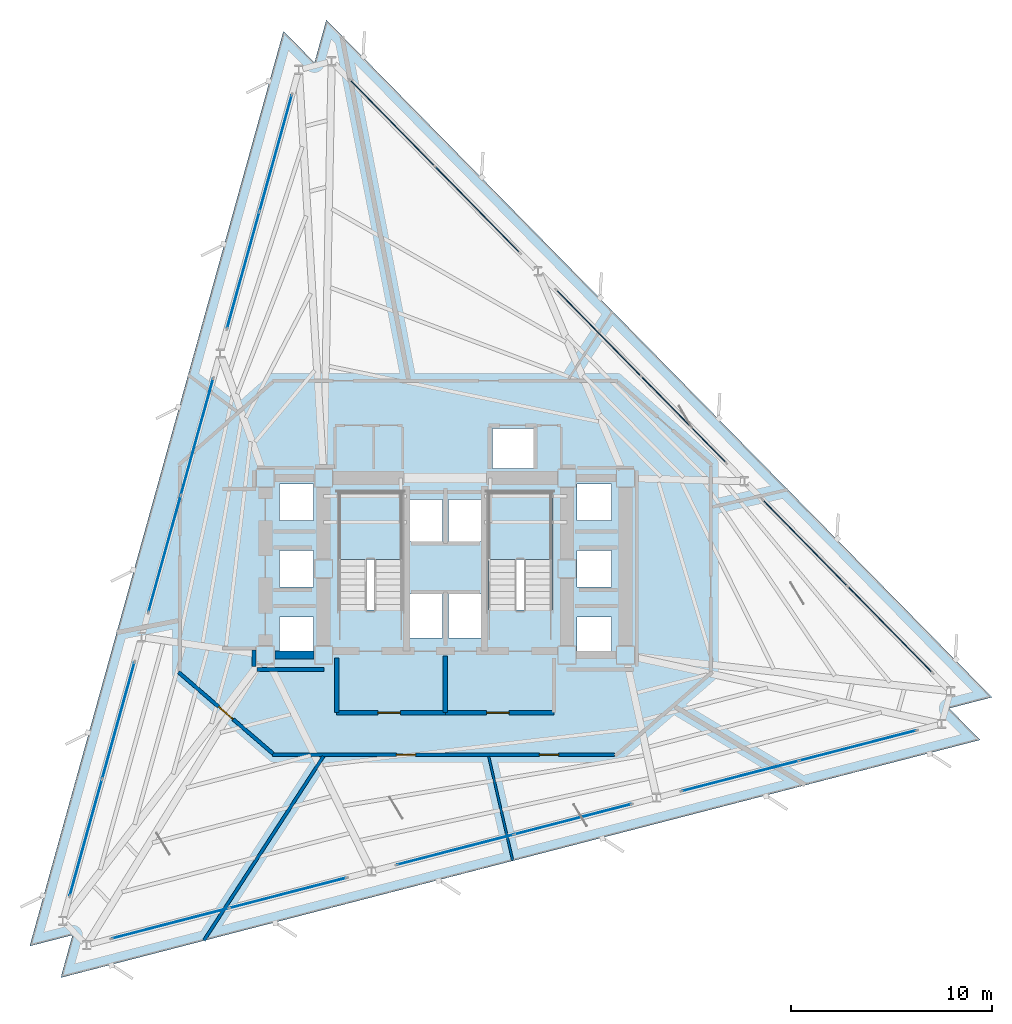
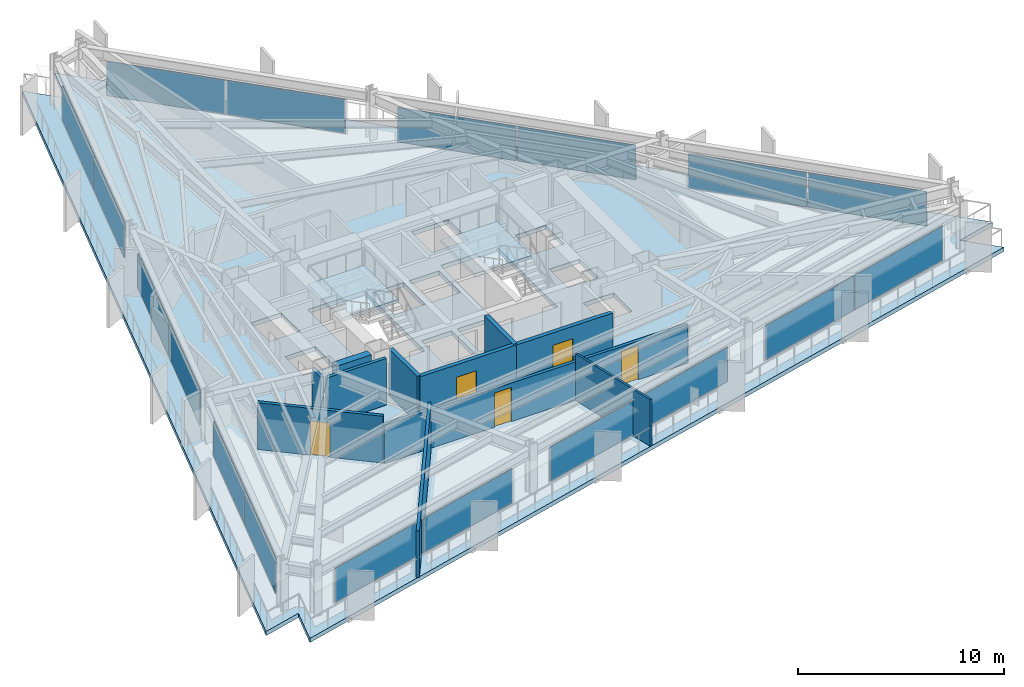
# One storey, part 6 of 11: 18 plates, 11 walls, 5 doors, 3 slabs, 5 openings, 11 elements without a shape of their own.
"""IFC4 building model written with IfcOpenShell, lengths in metres."""

from ifc_helpers import new_model, si_unit, direction, frame, frame_2d, origin, origin_2d, place, context, subcontext, project, spatial, polyline, rectangle, outline, extrude, material, layer, layer_set, type_object, element, fill, aggregate, save


model = new_model("IFC4")

# Units and contexts
model_context = context("Model", 3, precision=1e-05, world=origin(), true_north=direction((0.0, 1.0)))
body_context = subcontext(model_context, "Body", "Model", "MODEL_VIEW")
ifc_project = project(units=[si_unit("LENGTHUNIT", "METRE"), si_unit("AREAUNIT", "SQUARE_METRE"), si_unit("VOLUMEUNIT", "CUBIC_METRE"), si_unit("PLANEANGLEUNIT", "RADIAN"), si_unit("MASSUNIT", "GRAM", prefix="KILO")], contexts=[model_context])

# Site, building, storey
site_placement = place(None, origin())
site = spatial("IfcSite", under=ifc_project, at=site_placement, CompositionType="ELEMENT")
building_placement = place(site_placement, origin())
building = spatial("IfcBuilding", under=site, at=building_placement, Name="Rocaltana Carrier Exchange", CompositionType="ELEMENT")
storey_placement = place(building_placement, frame((0.0, 0.0, 79.52001953125)))
storey = spatial("IfcBuildingStorey", under=building, at=storey_placement, Name="L24", CompositionType="ELEMENT", Elevation=79.52001953125)

# Curtain wall, plates
ifc_material_1 = material(Name="Aluminium 6063-T6", Category="aluminium")
ifc_layer_1 = layer(ifc_material_1, 0.1650390625)
ifc_layer_set_1 = layer_set([ifc_layer_1], Name="Aluminium 6063-T6")
curtain_wall_type = type_object("IfcCurtainWallType", Name="Lower-Mid Stepped Curtain Wall CW-02", PredefinedType="NOTDEFINED", material=ifc_layer_set_1)
curtain_wall_1_placement = place(storey_placement, origin())
curtain_wall_1 = element("IfcCurtainWall", 1, at=curtain_wall_1_placement, inside=storey, type_object=curtain_wall_type, Name="L24 CW-02 Run CW-L24-F1S1", PredefinedType="NOTDEFINED")
ifc_material_2 = material(Name="Tempered Laminated Glass", Category="glass")
ifc_layer_2 = layer(ifc_material_2, 0.0419921875)
ifc_layer_set_2 = layer_set([ifc_layer_2], Name="Tempered Laminated Glass")
plate_type = type_object("IfcPlateType", Name="CW-02 Stone-Insulated Vision Panel", PredefinedType="CURTAIN_PANEL", material=ifc_layer_set_2)
plate_1_placement = place(storey_placement, frame((22.10400390625, -3.02490234375, 0.06494140625), z_axis=(0.0, 0.0, 1.0), x_axis=(-0.700915045542, 0.713244767898, 0.0)))
plate_1 = element("IfcPlate", 2, at=plate_1_placement, type_object=plate_type, Name="CW-02 panel 1.1", PredefinedType="CURTAIN_PANEL", context=body_context, shape_type="SweptSolid", body=[
    extrude(rectangle(XDim=5.96923828125, YDim=0.0419921875, at=origin_2d()), origin(), (0.0, 0.0, 1.0), 2.0380859375),
])
plate_2_placement = place(storey_placement, frame((17.874755859375, 1.279052734375, 0.06494140625), z_axis=(0.0, 0.0, 1.0), x_axis=(-0.700915045542, 0.713244767898, 0.0)))
plate_2 = element("IfcPlate", 3, at=plate_2_placement, type_object=plate_type, Name="CW-02 panel 2.1", PredefinedType="CURTAIN_PANEL", context=body_context, shape_type="SweptSolid", body=[
    extrude(rectangle(XDim=5.96923828125, YDim=0.0419921875, at=origin_2d()), origin(), (0.0, 0.0, 1.0), 2.0380859375),
])
aggregate(curtain_wall_1, [plate_1, plate_2])

curtain_wall_2_placement = place(storey_placement, origin())
curtain_wall_2 = element("IfcCurtainWall", 4, at=curtain_wall_2_placement, inside=storey, type_object=curtain_wall_type, Name="L24 CW-02 Run CW-L24-F1S2", PredefinedType="NOTDEFINED")
plate_3_placement = place(storey_placement, frame((11.847412109375, 7.412353515625, 0.06494140625), z_axis=(0.0, 0.0, 1.0), x_axis=(-0.700915118017, 0.713244696676, 0.0)))
plate_3 = element("IfcPlate", 5, at=plate_3_placement, type_object=plate_type, Name="CW-02 panel 1.1", PredefinedType="CURTAIN_PANEL", context=body_context, shape_type="SweptSolid", body=[
    extrude(rectangle(XDim=5.96923828125, YDim=0.0419921875, at=origin_2d()), origin(), (0.0, 0.0, 1.0), 2.0380859375),
])
plate_4_placement = place(storey_placement, frame((7.617919921875, 11.71630859375, 0.06494140625), z_axis=(0.0, 0.0, 1.0), x_axis=(-0.700915118017, 0.713244696676, 0.0)))
plate_4 = element("IfcPlate", 6, at=plate_4_placement, type_object=plate_type, Name="CW-02 panel 2.1", PredefinedType="CURTAIN_PANEL", context=body_context, shape_type="SweptSolid", body=[
    extrude(rectangle(XDim=5.96923828125, YDim=0.0419921875, at=origin_2d()), origin(), (0.0, 0.0, 1.0), 2.0380859375),
])
aggregate(curtain_wall_2, [plate_3, plate_4])

curtain_wall_3_placement = place(storey_placement, origin())
curtain_wall_3 = element("IfcCurtainWall", 7, at=curtain_wall_3_placement, inside=storey, type_object=curtain_wall_type, Name="L24 CW-02 Run CW-L24-F1S3", PredefinedType="NOTDEFINED")
plate_5_placement = place(storey_placement, frame((1.5908203125, 17.849609375, 0.06494140625), z_axis=(0.0, 0.0, 1.0), x_axis=(-0.700915045542, 0.713244767898, 0.0)))
plate_5 = element("IfcPlate", 8, at=plate_5_placement, type_object=plate_type, Name="CW-02 panel 1.1", PredefinedType="CURTAIN_PANEL", context=body_context, shape_type="SweptSolid", body=[
    extrude(rectangle(XDim=5.96923828125, YDim=0.0419921875, at=origin_2d()), origin(), (0.0, 0.0, 1.0), 2.0380859375),
])
plate_6_placement = place(storey_placement, frame((-2.638671875, 22.153564453125, 0.06494140625), z_axis=(0.0, 0.0, 1.0), x_axis=(-0.700915045542, 0.713244767898, 0.0)))
plate_6 = element("IfcPlate", 9, at=plate_6_placement, type_object=plate_type, Name="CW-02 panel 2.1", PredefinedType="CURTAIN_PANEL", context=body_context, shape_type="SweptSolid", body=[
    extrude(rectangle(XDim=5.96923828125, YDim=0.0419921875, at=origin_2d()), origin(), (0.0, 0.0, 1.0), 2.0380859375),
])
aggregate(curtain_wall_3, [plate_5, plate_6])

curtain_wall_4_placement = place(storey_placement, origin())
curtain_wall_4 = element("IfcCurtainWall", 10, at=curtain_wall_4_placement, inside=storey, type_object=curtain_wall_type, Name="L24 CW-02 Run CW-L24-F2S1", PredefinedType="NOTDEFINED")
plate_7_placement = place(storey_placement, frame((-8.432373046875, 20.655029296875, 0.06494140625), z_axis=(0.0, 0.0, 1.0), x_axis=(-0.267245546918, -0.96362846453, 0.0)))
plate_7 = element("IfcPlate", 11, at=plate_7_placement, type_object=plate_type, Name="CW-02 panel 1.1", PredefinedType="CURTAIN_PANEL", context=body_context, shape_type="SweptSolid", body=[
    extrude(rectangle(XDim=5.96923828125, YDim=0.0419921875, at=origin_2d()), origin(), (0.0, 0.0, 1.0), 2.0380859375),
])
plate_8_placement = place(storey_placement, frame((-10.045166015625, 14.84033203125, 0.06494140625), z_axis=(0.0, 0.0, 1.0), x_axis=(-0.267245546918, -0.96362846453, 0.0)))
plate_8 = element("IfcPlate", 12, at=plate_8_placement, type_object=plate_type, Name="CW-02 panel 2.1", PredefinedType="CURTAIN_PANEL", context=body_context, shape_type="SweptSolid", body=[
    extrude(rectangle(XDim=5.96923828125, YDim=0.0419921875, at=origin_2d()), origin(), (0.0, 0.0, 1.0), 2.0380859375),
])
aggregate(curtain_wall_4, [plate_7, plate_8])

curtain_wall_5_placement = place(storey_placement, origin())
curtain_wall_5 = element("IfcCurtainWall", 13, at=curtain_wall_5_placement, inside=storey, type_object=curtain_wall_type, Name="L24 CW-02 Run CW-L24-F2S2", PredefinedType="NOTDEFINED")
plate_9_placement = place(storey_placement, frame((-12.343017578125, 6.553955078125, 0.06494140625), z_axis=(0.0, 0.0, 1.0), x_axis=(-0.267237893807, -0.963630586954, 0.0)))
plate_9 = element("IfcPlate", 14, at=plate_9_placement, type_object=plate_type, Name="CW-02 panel 1.1", PredefinedType="CURTAIN_PANEL", context=body_context, shape_type="SweptSolid", body=[
    extrude(rectangle(XDim=5.96923828125, YDim=0.0419921875, at=origin_2d()), origin(), (0.0, 0.0, 1.0), 2.0380859375),
])
plate_10_placement = place(storey_placement, frame((-13.95556640625, 0.7392578125, 0.06494140625), z_axis=(0.0, 0.0, 1.0), x_axis=(-0.267237893807, -0.963630586954, 0.0)))
plate_10 = element("IfcPlate", 15, at=plate_10_placement, type_object=plate_type, Name="CW-02 panel 2.1", PredefinedType="CURTAIN_PANEL", context=body_context, shape_type="SweptSolid", body=[
    extrude(rectangle(XDim=5.96923828125, YDim=0.0419921875, at=origin_2d()), origin(), (0.0, 0.0, 1.0), 2.0380859375),
])
aggregate(curtain_wall_5, [plate_9, plate_10])

curtain_wall_6_placement = place(storey_placement, origin())
curtain_wall_6 = element("IfcCurtainWall", 16, at=curtain_wall_6_placement, inside=storey, type_object=curtain_wall_type, Name="L24 CW-02 Run CW-L24-F2S3", PredefinedType="NOTDEFINED")
plate_11_placement = place(storey_placement, frame((-16.253662109375, -7.547119140625, 0.06494140625), z_axis=(0.0, 0.0, 1.0), x_axis=(-0.267243424491, -0.963629053146, 0.0)))
plate_11 = element("IfcPlate", 17, at=plate_11_placement, type_object=plate_type, Name="CW-02 panel 1.1", PredefinedType="CURTAIN_PANEL", context=body_context, shape_type="SweptSolid", body=[
    extrude(rectangle(XDim=5.96923828125, YDim=0.0419921875, at=origin_2d()), origin(), (0.0, 0.0, 1.0), 2.0380859375),
])
plate_12_placement = place(storey_placement, frame((-17.8662109375, -13.36181640625, 0.06494140625), z_axis=(0.0, 0.0, 1.0), x_axis=(-0.267243424491, -0.963629053146, 0.0)))
plate_12 = element("IfcPlate", 18, at=plate_12_placement, type_object=plate_type, Name="CW-02 panel 2.1", PredefinedType="CURTAIN_PANEL", context=body_context, shape_type="SweptSolid", body=[
    extrude(rectangle(XDim=5.96923828125, YDim=0.0419921875, at=origin_2d()), origin(), (0.0, 0.0, 1.0), 2.0380859375),
])
aggregate(curtain_wall_6, [plate_11, plate_12])

curtain_wall_7_placement = place(storey_placement, origin())
curtain_wall_7 = element("IfcCurtainWall", 19, at=curtain_wall_7_placement, inside=storey, type_object=curtain_wall_type, Name="L24 CW-02 Run CW-L24-F3S1", PredefinedType="NOTDEFINED")
plate_13_placement = place(storey_placement, frame((-13.671630859375, -17.63037109375, 0.06494140625), z_axis=(0.0, 0.0, 1.0), x_axis=(0.968148220548, 0.250377760692, 0.0)))
plate_13 = element("IfcPlate", 20, at=plate_13_placement, type_object=plate_type, Name="CW-02 panel 1.1", PredefinedType="CURTAIN_PANEL", context=body_context, shape_type="SweptSolid", body=[
    extrude(rectangle(XDim=5.96923828125, YDim=0.0419921875, at=origin_2d()), origin(), (0.0, 0.0, 1.0), 2.0380859375),
])
plate_14_placement = place(storey_placement, frame((-7.82958984375, -16.119384765625, 0.06494140625), z_axis=(0.0, 0.0, 1.0), x_axis=(0.968148220548, 0.250377760692, 0.0)))
plate_14 = element("IfcPlate", 21, at=plate_14_placement, type_object=plate_type, Name="CW-02 panel 2.1", PredefinedType="CURTAIN_PANEL", context=body_context, shape_type="SweptSolid", body=[
    extrude(rectangle(XDim=5.96923828125, YDim=0.0419921875, at=origin_2d()), origin(), (0.0, 0.0, 1.0), 2.0380859375),
])
aggregate(curtain_wall_7, [plate_13, plate_14])

curtain_wall_8_placement = place(storey_placement, origin())
curtain_wall_8 = element("IfcCurtainWall", 22, at=curtain_wall_8_placement, inside=storey, type_object=curtain_wall_type, Name="L24 CW-02 Run CW-L24-F3S2", PredefinedType="NOTDEFINED")
plate_15_placement = place(storey_placement, frame((0.49560546875, -13.96630859375, 0.06494140625), z_axis=(0.0, 0.0, 1.0), x_axis=(0.968148220548, 0.250377760692, 0.0)))
plate_15 = element("IfcPlate", 23, at=plate_15_placement, type_object=plate_type, Name="CW-02 panel 1.1", PredefinedType="CURTAIN_PANEL", context=body_context, shape_type="SweptSolid", body=[
    extrude(rectangle(XDim=5.96923828125, YDim=0.0419921875, at=origin_2d()), origin(), (0.0, 0.0, 1.0), 2.0380859375),
])
plate_16_placement = place(storey_placement, frame((6.337646484375, -12.45556640625, 0.06494140625), z_axis=(0.0, 0.0, 1.0), x_axis=(0.968148220548, 0.250377760692, 0.0)))
plate_16 = element("IfcPlate", 24, at=plate_16_placement, type_object=plate_type, Name="CW-02 panel 2.1", PredefinedType="CURTAIN_PANEL", context=body_context, shape_type="SweptSolid", body=[
    extrude(rectangle(XDim=5.96923828125, YDim=0.0419921875, at=origin_2d()), origin(), (0.0, 0.0, 1.0), 2.0380859375),
])
aggregate(curtain_wall_8, [plate_15, plate_16])

curtain_wall_9_placement = place(storey_placement, origin())
curtain_wall_9 = element("IfcCurtainWall", 25, at=curtain_wall_9_placement, inside=storey, type_object=curtain_wall_type, Name="L24 CW-02 Run CW-L24-F3S3", PredefinedType="NOTDEFINED")
plate_17_placement = place(storey_placement, frame((14.662841796875, -10.302490234375, 0.06494140625), z_axis=(0.0, 0.0, 1.0), x_axis=(0.96815021836, 0.250370035526, 0.0)))
plate_17 = element("IfcPlate", 26, at=plate_17_placement, type_object=plate_type, Name="CW-02 panel 1.1", PredefinedType="CURTAIN_PANEL", context=body_context, shape_type="SweptSolid", body=[
    extrude(rectangle(XDim=5.96923828125, YDim=0.0419921875, at=origin_2d()), origin(), (0.0, 0.0, 1.0), 2.0380859375),
])
plate_18_placement = place(storey_placement, frame((20.5048828125, -8.791748046875, 0.06494140625), z_axis=(0.0, 0.0, 1.0), x_axis=(0.96815021836, 0.250370035526, 0.0)))
plate_18 = element("IfcPlate", 27, at=plate_18_placement, type_object=plate_type, Name="CW-02 panel 2.1", PredefinedType="CURTAIN_PANEL", context=body_context, shape_type="SweptSolid", body=[
    extrude(rectangle(XDim=5.96923828125, YDim=0.0419921875, at=origin_2d()), origin(), (0.0, 0.0, 1.0), 2.0380859375),
])
aggregate(curtain_wall_9, [plate_17, plate_18])

# Slab
ifc_material_3 = material(Name="Concrete C50/60", Category="concrete")
ifc_layer_3 = layer(ifc_material_3, 0.25)
ifc_layer_set_3 = layer_set([ifc_layer_3], Name="Concrete C50/60")
slab_type_1 = type_object("IfcSlabType", Name="Mid-Zone Tower Slab 250", PredefinedType="FLOOR", material=ifc_layer_set_3)
slab_1_placement = place(storey_placement, frame((0.0, 0.0, -0.25)))
element("IfcSlab", 28, at=slab_1_placement, inside=storey, type_object=slab_type_1, Name="L24 Structural Floor Slab", PredefinedType="FLOOR", context=body_context, shape_type="SweptSolid", body=[
    extrude(outline(polyline([(26.577880859375, -8.51220703125), (25.035888671875, -6.943115234375), (27.165771484375, -6.39208984375), (-5.9169921875, 27.273193359375), (-6.505126953125, 25.1533203125), (-8.047119140625, 26.722412109375), (-20.66064453125, -18.760986328125), (-18.53076171875, -18.210205078125), (-19.11865234375, -20.330078125), (26.577880859375, -8.51220703125)]), holes=[polyline([(-5.300048828125, -2.06005859375), (-2.139892578125, -2.06005859375), (-2.139892578125, 3.800048828125), (-5.300048828125, 3.800048828125), (-5.300048828125, -2.06005859375)]), polyline([(2.139892578125, -2.06005859375), (5.300048828125, -2.06005859375), (5.300048828125, 3.800048828125), (2.139892578125, 3.800048828125), (2.139892578125, -2.06005859375)]), polyline([(-1.85009765625, -3.449951171875), (-0.14990234375, -3.449951171875), (-0.14990234375, -1.25), (-1.85009765625, -1.25), (-1.85009765625, -3.449951171875)]), polyline([(0.14990234375, -3.449951171875), (1.85009765625, -3.449951171875), (1.85009765625, -1.25), (0.14990234375, -1.25), (0.14990234375, -3.449951171875)]), polyline([(2.35009765625, 4.97998046875), (4.39990234375, 4.97998046875), (4.39990234375, 6.97998046875), (2.35009765625, 6.97998046875), (2.35009765625, 4.97998046875)]), polyline([(-1.85009765625, 1.35009765625), (-0.14990234375, 1.35009765625), (-0.14990234375, 3.449951171875), (-1.85009765625, 3.449951171875), (-1.85009765625, 1.35009765625)]), polyline([(0.14990234375, 1.35009765625), (1.85009765625, 1.35009765625), (1.85009765625, 3.449951171875), (0.14990234375, 3.449951171875), (0.14990234375, 1.35009765625)]), polyline([(-8.25, -4.199951171875), (-6.550048828125, -4.199951171875), (-6.550048828125, -2.39990234375), (-8.25, -2.39990234375), (-8.25, -4.199951171875)]), polyline([(-8.25, -0.89990234375), (-6.550048828125, -0.89990234375), (-6.550048828125, 0.89990234375), (-8.25, 0.89990234375), (-8.25, -0.89990234375)]), polyline([(-8.25, 2.39990234375), (-6.550048828125, 2.39990234375), (-6.550048828125, 4.199951171875), (-8.25, 4.199951171875), (-8.25, 2.39990234375)]), polyline([(6.550048828125, -4.199951171875), (8.25, -4.199951171875), (8.25, -2.39990234375), (6.550048828125, -2.39990234375), (6.550048828125, -4.199951171875)]), polyline([(6.550048828125, -0.89990234375), (8.25, -0.89990234375), (8.25, 0.89990234375), (6.550048828125, 0.89990234375), (6.550048828125, -0.89990234375)]), polyline([(6.550048828125, 2.39990234375), (8.25, 2.39990234375), (8.25, 4.199951171875), (6.550048828125, 4.199951171875), (6.550048828125, 2.39990234375)])]), origin(), (0.0, 0.0, 1.0), 0.25),
])

# Stair, slab
ifc_material_4 = material(Name="Precast concrete C45/55", Category="concrete")
stair_type = type_object("IfcStairType", Name="Standard Dog-Leg Stair 160", PredefinedType="HALF_TURN_STAIR", material=ifc_material_4)
stair_1_placement = place(storey_placement, origin())
stair_1 = element("IfcStair", 29, at=stair_1_placement, inside=storey, type_object=stair_type, Name="L24 Core West Exit Stair ST-1", PredefinedType="HALF_TURN_STAIR")
ifc_material_5 = material(Name="Precast concrete C45/55", Category="concrete")
ifc_layer_4 = layer(ifc_material_5, 0.199951171875)
ifc_layer_set_4 = layer_set([ifc_layer_4], Name="Precast concrete C45/55")
slab_type_2 = type_object("IfcSlabType", Name="Precast Stair Half-Landing 200", PredefinedType="LANDING", material=ifc_layer_set_4)
slab_2_placement = place(storey_placement, frame((0.0, 0.0, 1.320068359375)))
slab_2 = element("IfcSlab", 30, at=slab_2_placement, type_object=slab_type_2, Name="ST-1 landing 1", PredefinedType="LANDING", context=body_context, shape_type="SweptSolid", body=[
    extrude(outline(polyline([(-2.139892578125, 0.4599609375), (-2.139892578125, 3.800048828125), (-5.300048828125, 3.800048828125), (-5.300048828125, 0.4599609375), (-2.139892578125, 0.4599609375)])), origin(), (0.0, 0.0, 1.0), 0.199951171875),
])
aggregate(stair_1, [slab_2])

stair_2_placement = place(storey_placement, origin())
stair_2 = element("IfcStair", 31, at=stair_2_placement, inside=storey, type_object=stair_type, Name="L24 Core East Exit Stair ST-2", PredefinedType="HALF_TURN_STAIR")
slab_3_placement = place(storey_placement, frame((0.0, 0.0, 1.320068359375)))
slab_3 = element("IfcSlab", 32, at=slab_3_placement, type_object=slab_type_2, Name="ST-2 landing 1", PredefinedType="LANDING", context=body_context, shape_type="SweptSolid", body=[
    extrude(outline(polyline([(5.300048828125, 0.4599609375), (5.300048828125, 3.800048828125), (2.139892578125, 3.800048828125), (2.139892578125, 0.4599609375), (5.300048828125, 0.4599609375)])), origin(), (0.0, 0.0, 1.0), 0.199951171875),
])
aggregate(stair_2, [slab_3])

# Walls
ifc_material_6 = material(Name="Double Acoustic Gypsum Partition", Category="gypsum")
ifc_layer_5 = layer(ifc_material_6, 0.159912109375)
ifc_layer_set_5 = layer_set([ifc_layer_5], Name="Double Acoustic Gypsum Partition")
wall_type_1 = type_object("IfcWallType", Name="Acoustic Studio Partition 160 EI60", PredefinedType="PARTITIONING", material=ifc_layer_set_5)
wall_1_placement = place(storey_placement, frame((-6.05908203125, -9.330078125, 0.0), z_axis=(0.0, 0.0, 1.0), x_axis=(-0.544635087887, -0.838673131227, 0.0)))
element("IfcWall", 33, at=wall_1_placement, inside=storey, type_object=wall_type_1, Name="L24 Suite Divider Wall D2", PredefinedType="PARTITIONING", context=body_context, shape_type="SweptSolid", body=[
    extrude(rectangle(XDim=10.908447265625, YDim=0.159912109375, at=frame_2d((5.4541015625, 0.0))), origin(), (0.0, 0.0, 1.0), 2.762939453125),
])
ifc_material_7 = material(Name="Concrete C50/60", Category="concrete")
ifc_layer_6 = layer(ifc_material_7, 0.39990234375)
ifc_layer_set_6 = layer_set([ifc_layer_6], Name="Concrete C50/60")
wall_type_2 = type_object("IfcWallType", Name="Core Internal Shear Wall 400", PredefinedType="SHEAR", material=ifc_layer_set_6)
wall_2_placement = place(storey_placement, frame((-8.47509765625, -4.300048828125, 0.0), z_axis=(0.0, 0.0, 1.0), x_axis=(1.0, 0.0, 0.0)))
element("IfcWall", 34, at=wall_2_placement, inside=storey, type_object=wall_type_2, Name="L24 Core Shear Wall CW-WWS", PredefinedType="SHEAR", context=body_context, shape_type="SweptSolid", body=[
    extrude(rectangle(XDim=1.9501953125, YDim=0.39990234375, at=frame_2d((0.97509765625, 0.0))), origin(), (0.0, 0.0, 1.0), 2.7880859375),
])

# Wall, openings, doors
ifc_material_8 = material(Name="Gypsum & Steel Stud Partition", Category="steel")
ifc_layer_7 = layer(ifc_material_8, 0.179931640625)
ifc_layer_set_7 = layer_set([ifc_layer_7], Name="Gypsum & Steel Stud Partition")
wall_type_3 = type_object("IfcWallType", Name="Corridor Fire Partition 180 EI60", PredefinedType="PARTITIONING", material=ifc_layer_set_7)
wall_3_placement = place(storey_placement, frame((8.409912109375, -9.25, 0.0), z_axis=(0.0, 0.0, 1.0), x_axis=(-1.0, 0.0, 0.0)))
wall_3 = element("IfcWall", 35, at=wall_3_placement, inside=storey, type_object=wall_type_3, Name="L24 Corridor Partition 5", PredefinedType="PARTITIONING", context=body_context, shape_type="SweptSolid", body=[
    extrude(rectangle(XDim=17.0, YDim=0.179931640625, at=frame_2d((8.5, 0.0))), origin(), (0.0, 0.0, 1.0), 2.277099609375),
])
opening_1_placement = place(wall_3_placement, frame((9.88818359375, 0.0, 0.0)))
opening_1 = element("IfcOpeningElement", 36, at=opening_1_placement, cuts=wall_3, Name="Opening D-RM098", PredefinedType="OPENING", context=body_context, shape_type="SweptSolid", body=[
    extrude(rectangle(XDim=0.9599609375, YDim=2.02001953125, at=frame_2d((0.47998046875, 1.010009765625))), frame((0.0, 0.099853515625, 0.0), z_axis=(0.0, -1.0, 0.0), x_axis=(1.0, 0.0, 0.0)), (0.0, 0.0, 1.0), 0.199951171875),
])
opening_2_placement = place(wall_3_placement, frame((2.777099609375, 0.0, 0.0)))
opening_2 = element("IfcOpeningElement", 37, at=opening_2_placement, cuts=wall_3, Name="Opening D-RM098", PredefinedType="OPENING", context=body_context, shape_type="SweptSolid", body=[
    extrude(rectangle(XDim=0.9599609375, YDim=2.02001953125, at=frame_2d((0.47998046875, 1.010009765625))), frame((0.0, 0.099853515625, 0.0), z_axis=(0.0, -1.0, 0.0), x_axis=(1.0, 0.0, 0.0)), (0.0, 0.0, 1.0), 0.199951171875),
])
ifc_material_9 = material(Name="Engineered Hardwood Timber", Category="wood")
door_type_1 = type_object("IfcDoorType", Name="Workspace Single Door 960x2020", OperationType="NOTDEFINED", PredefinedType="DOOR", material=ifc_material_9)
door_1_placement = place(opening_1_placement, origin())
door_1 = element("IfcDoor", 38, at=door_1_placement, inside=storey, type_object=door_type_1, Name="L24 Incident Briefing Room Entrance Door", OperationType="SINGLE_SWING_LEFT", OverallHeight=2.02001953125, OverallWidth=0.9599609375, PredefinedType="DOOR", context=body_context, shape_type="SweptSolid", body=[
    extrude(rectangle(XDim=0.9599609375, YDim=2.02001953125, at=frame_2d((0.47998046875, 1.010009765625))), frame((0.0, 0.02490234375, 0.0), z_axis=(0.0, -1.0, 0.0), x_axis=(1.0, 0.0, 0.0)), (0.0, 0.0, 1.0), 0.050048828125),
])
fill(opening_1, door_1)
door_2_placement = place(opening_2_placement, origin())
door_2 = element("IfcDoor", 39, at=door_2_placement, inside=storey, type_object=door_type_1, Name="L24 Peering Conference Room Entrance Door", OperationType="SINGLE_SWING_RIGHT", OverallHeight=2.02001953125, OverallWidth=0.9599609375, PredefinedType="DOOR", context=body_context, shape_type="SweptSolid", body=[
    extrude(rectangle(XDim=0.9599609375, YDim=2.02001953125, at=frame_2d((0.47998046875, 1.010009765625))), frame((0.0, 0.02490234375, 0.0), z_axis=(0.0, -1.0, 0.0), x_axis=(1.0, 0.0, 0.0)), (0.0, 0.0, 1.0), 0.050048828125),
])
fill(opening_2, door_2)

# Wall, opening, door
wall_4_placement = place(storey_placement, frame((-8.568115234375, -9.191162109375, 0.0), z_axis=(0.0, 0.0, 1.0), x_axis=(-0.757556899173, 0.652769135694, 0.0)))
wall_4 = element("IfcWall", 40, at=wall_4_placement, inside=storey, type_object=wall_type_3, Name="L24 Corridor Partition 6", PredefinedType="PARTITIONING", context=body_context, shape_type="SweptSolid", body=[
    extrude(rectangle(XDim=6.204345703125, YDim=0.179931640625, at=frame_2d((3.10205078125, 0.0))), origin(), (0.0, 0.0, 1.0), 2.762939453125),
])
opening_3_placement = place(wall_4_placement, frame((2.6220703125, 0.0, 0.0)))
opening_3 = element("IfcOpeningElement", 41, at=opening_3_placement, cuts=wall_4, Name="Opening D-RM098", PredefinedType="OPENING", context=body_context, shape_type="SweptSolid", body=[
    extrude(rectangle(XDim=0.9599609375, YDim=2.02001953125, at=frame_2d((0.47998046875, 1.010009765625))), frame((0.0, 0.099853515625, 0.0), z_axis=(0.0, -1.0, 0.0), x_axis=(1.0, 0.0, 0.0)), (0.0, 0.0, 1.0), 0.199951171875),
])
door_3_placement = place(opening_3_placement, origin())
door_3 = element("IfcDoor", 42, at=door_3_placement, inside=storey, type_object=door_type_1, Name="L24 Peering Conference Room Entrance Door", OperationType="SINGLE_SWING_RIGHT", OverallHeight=2.02001953125, OverallWidth=0.9599609375, PredefinedType="DOOR", context=body_context, shape_type="SweptSolid", body=[
    extrude(rectangle(XDim=0.9599609375, YDim=2.02001953125, at=frame_2d((0.47998046875, 1.010009765625))), frame((0.0, 0.02490234375, 0.0), z_axis=(0.0, -1.0, 0.0), x_axis=(1.0, 0.0, 0.0)), (0.0, 0.0, 1.0), 0.050048828125),
])
fill(opening_3, door_3)

# Walls
wall_5_placement = place(storey_placement, frame((-9.510009765625, -4.050048828125, 0.0), z_axis=(0.0, 0.0, 1.0), x_axis=(0.0, -1.0, 0.0)))
element("IfcWall", 43, at=wall_5_placement, inside=storey, type_object=wall_type_3, Name="L24 Corridor Partition 12", PredefinedType="PARTITIONING", context=body_context, shape_type="SweptSolid", body=[
    extrude(rectangle(XDim=0.820068359375, YDim=0.179931640625, at=frame_2d((0.41015625, 0.0))), origin(), (0.0, 0.0, 1.0), 2.762939453125),
])
wall_6_placement = place(storey_placement, frame((-9.3701171875, -5.010009765625, 0.0), z_axis=(0.0, 0.0, 1.0), x_axis=(1.0, 0.0, 0.0)))
element("IfcWall", 44, at=wall_6_placement, inside=storey, type_object=wall_type_3, Name="L24 Corridor Partition 13", PredefinedType="PARTITIONING", context=body_context, shape_type="SweptSolid", body=[
    extrude(rectangle(XDim=3.340087890625, YDim=0.179931640625, at=frame_2d((1.669921875, 0.0))), origin(), (0.0, 0.0, 1.0), 2.762939453125),
])
ifc_material_10 = material(Name="Aluminium 6063-T6 & Acoustic Glass", Category="aluminium")
ifc_layer_8 = layer(ifc_material_10, 0.114990234375)
ifc_layer_set_8 = layer_set([ifc_layer_8], Name="Aluminium 6063-T6 & Acoustic Glass")
wall_type_4 = type_object("IfcWallType", Name="Demountable Glazed Lab Partition 115", PredefinedType="MOVABLE", material=ifc_layer_set_8)
wall_7_placement = place(storey_placement, frame((2.154052734375, -9.330078125, 0.0), z_axis=(0.0, 0.0, 1.0), x_axis=(0.22493330832, -0.974374161607, 0.0)))
element("IfcWall", 45, at=wall_7_placement, inside=storey, type_object=wall_type_4, Name="L24 Suite Divider Wall D3", PredefinedType="MOVABLE", context=body_context, shape_type="SweptSolid", body=[
    extrude(rectangle(XDim=5.315185546875, YDim=0.114990234375, at=frame_2d((2.65771484375, 0.0))), origin(), (0.0, 0.0, 1.0), 2.762939453125),
])
ifc_material_11 = material(Name="Autoclaved Aerated Concrete C30/37", Category="concrete")
ifc_layer_9 = layer(ifc_material_11, 0.219970703125)
ifc_layer_set_9 = layer_set([ifc_layer_9], Name="Autoclaved Aerated Concrete C30/37")
wall_type_5 = type_object("IfcWallType", Name="Firefighting Lobby Wall 220 EI120", PredefinedType="PARTITIONING", material=ifc_layer_set_9)
wall_8_placement = place(storey_placement, frame((-5.39990234375, -7.159912109375, 0.0), z_axis=(0.0, 0.0, 1.0), x_axis=(0.0, 1.0, 0.0)))
element("IfcWall", 46, at=wall_8_placement, inside=storey, type_object=wall_type_5, Name="L24 FFL Lobby 1 West Wall", PredefinedType="PARTITIONING", context=body_context, shape_type="SweptSolid", body=[
    extrude(rectangle(XDim=2.7099609375, YDim=0.219970703125, at=frame_2d((1.35498046875, 0.0))), origin(), (0.0, 0.0, 1.0), 2.762939453125),
])
wall_9_placement = place(storey_placement, frame((0.0, -7.159912109375, 0.0), z_axis=(0.0, 0.0, 1.0), x_axis=(0.0, 1.0, 0.0)))
element("IfcWall", 47, at=wall_9_placement, inside=storey, type_object=wall_type_5, Name="L24 FFL Lobby Centre Wall", PredefinedType="PARTITIONING", context=body_context, shape_type="SweptSolid", body=[
    extrude(rectangle(XDim=2.809814453125, YDim=0.219970703125, at=frame_2d((1.40478515625, 0.0))), origin(), (0.0, 0.0, 1.0), 2.762939453125),
])

# Wall, opening, door
wall_10_placement = place(storey_placement, frame((-5.39990234375, -7.159912109375, 0.0), z_axis=(0.0, 0.0, 1.0), x_axis=(1.0, 0.0, 0.0)))
wall_10 = element("IfcWall", 48, at=wall_10_placement, inside=storey, type_object=wall_type_5, Name="L24 FFL Lobby 1 South Wall", PredefinedType="PARTITIONING", context=body_context, shape_type="SweptSolid", body=[
    extrude(rectangle(XDim=5.39990234375, YDim=0.219970703125, at=frame_2d((2.699951171875, 0.0))), origin(), (0.0, 0.0, 1.0), 2.762939453125),
])
opening_4_placement = place(wall_10_placement, frame((2.050048828125, 0.0, 0.0)))
opening_4 = element("IfcOpeningElement", 49, at=opening_4_placement, cuts=wall_10, Name="Opening D-FF115", PredefinedType="OPENING", context=body_context, shape_type="SweptSolid", body=[
    extrude(rectangle(XDim=1.1201171875, YDim=2.02001953125, at=frame_2d((0.56005859375, 1.010009765625))), frame((0.0, 0.119873046875, 0.0), z_axis=(0.0, -1.0, 0.0), x_axis=(1.0, 0.0, 0.0)), (0.0, 0.0, 1.0), 0.239990234375),
])
ifc_material_12 = material(Name="Hollow Metal Fire Door Assembly", Category="steel")
door_type_2 = type_object("IfcDoorType", Name="Firefighting Lobby Door 1120x2020 FD60S", OperationType="NOTDEFINED", PredefinedType="DOOR", material=ifc_material_12)
door_4_placement = place(opening_4_placement, origin())
door_4 = element("IfcDoor", 50, at=door_4_placement, inside=storey, type_object=door_type_2, Name="L24 Firefighting Lift Lobby 1 Door", OperationType="SINGLE_SWING_LEFT", OverallHeight=2.02001953125, OverallWidth=1.1201171875, PredefinedType="DOOR", context=body_context, shape_type="SweptSolid", body=[
    extrude(rectangle(XDim=1.1201171875, YDim=2.02001953125, at=frame_2d((0.56005859375, 1.010009765625))), frame((0.0, 0.02490234375, 0.0), z_axis=(0.0, -1.0, 0.0), x_axis=(1.0, 0.0, 0.0)), (0.0, 0.0, 1.0), 0.050048828125),
])
fill(opening_4, door_4)

wall_11_placement = place(storey_placement, frame((0.0, -7.159912109375, 0.0), z_axis=(0.0, 0.0, 1.0), x_axis=(1.0, 0.0, 0.0)))
wall_11 = element("IfcWall", 51, at=wall_11_placement, inside=storey, type_object=wall_type_5, Name="L24 FFL Lobby 2 South Wall", PredefinedType="PARTITIONING", context=body_context, shape_type="SweptSolid", body=[
    extrude(rectangle(XDim=5.39990234375, YDim=0.219970703125, at=frame_2d((2.699951171875, 0.0))), origin(), (0.0, 0.0, 1.0), 2.762939453125),
])
opening_5_placement = place(wall_11_placement, frame((2.050048828125, 0.0, 0.0)))
opening_5 = element("IfcOpeningElement", 52, at=opening_5_placement, cuts=wall_11, Name="Opening D-FF115", PredefinedType="OPENING", context=body_context, shape_type="SweptSolid", body=[
    extrude(rectangle(XDim=1.1201171875, YDim=2.02001953125, at=frame_2d((0.56005859375, 1.010009765625))), frame((0.0, 0.119873046875, 0.0), z_axis=(0.0, -1.0, 0.0), x_axis=(1.0, 0.0, 0.0)), (0.0, 0.0, 1.0), 0.239990234375),
])
door_5_placement = place(opening_5_placement, origin())
door_5 = element("IfcDoor", 53, at=door_5_placement, inside=storey, type_object=door_type_2, Name="L24 Firefighting Lift Lobby 2 Door", OperationType="SINGLE_SWING_RIGHT", OverallHeight=2.02001953125, OverallWidth=1.1201171875, PredefinedType="DOOR", context=body_context, shape_type="SweptSolid", body=[
    extrude(rectangle(XDim=1.1201171875, YDim=2.02001953125, at=frame_2d((0.56005859375, 1.010009765625))), frame((0.0, 0.02490234375, 0.0), z_axis=(0.0, -1.0, 0.0), x_axis=(1.0, 0.0, 0.0)), (0.0, 0.0, 1.0), 0.050048828125),
])
fill(opening_5, door_5)

save(model, "model.ifc")
